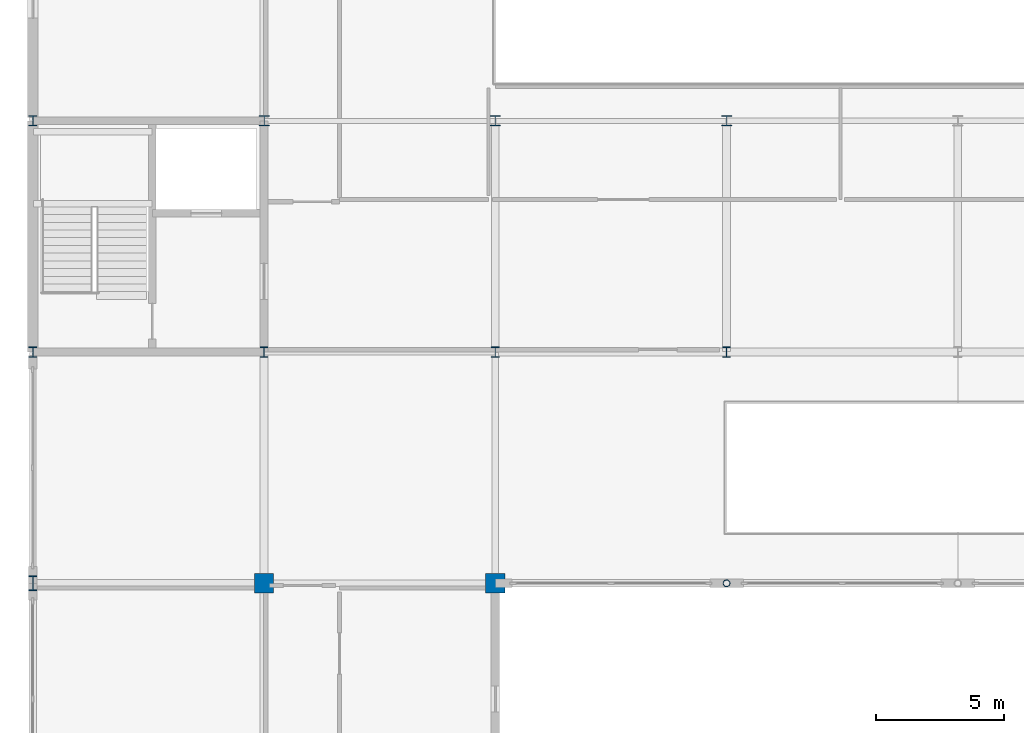
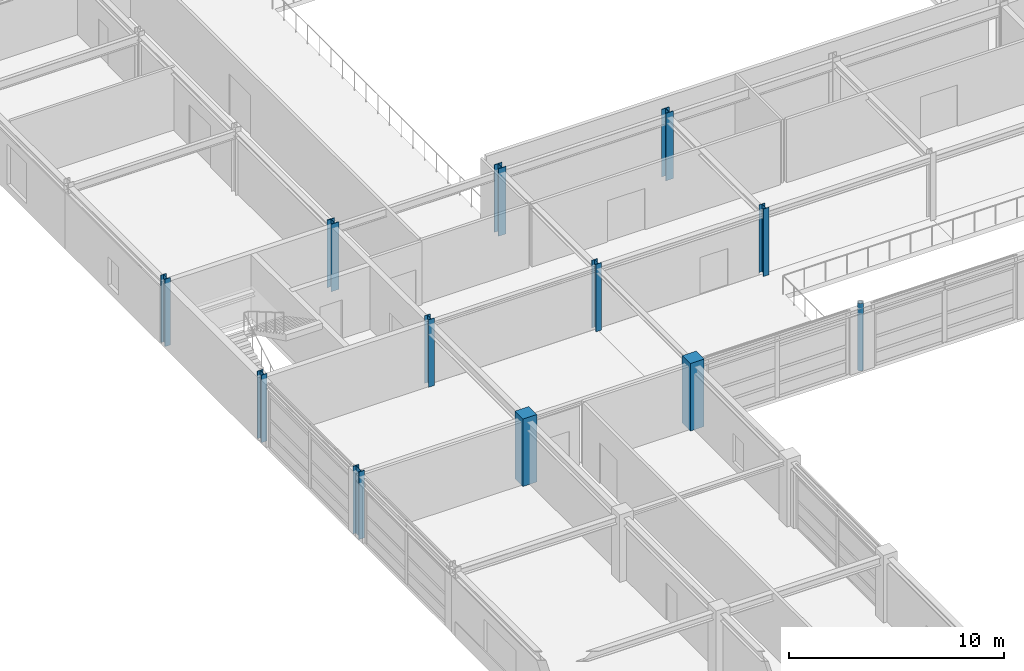
# One storey, part 9 of 79: 12 columns.
"""IFC4 building model written with IfcOpenShell, lengths in metres."""

from ifc_helpers import new_model, si_unit, direction, frame, origin, origin_2d, place, context, subcontext, project, spatial, rectangle, hollow_circle, i_section, extrude, material, material_profile, profile_set, type_object, element, save


model = new_model("IFC4")

# Units and contexts
model_context = context("Model", 3, precision=1e-05, world=origin(), true_north=direction((0.0, 1.0)))
body_context = subcontext(model_context, "Body", "Model", "MODEL_VIEW")
ifc_project = project(units=[si_unit("LENGTHUNIT", "METRE"), si_unit("AREAUNIT", "SQUARE_METRE"), si_unit("VOLUMEUNIT", "CUBIC_METRE"), si_unit("PLANEANGLEUNIT", "RADIAN"), si_unit("MASSUNIT", "GRAM", prefix="KILO")], contexts=[model_context])

# Site, building, storey
site_placement = place(None, origin())
site = spatial("IfcSite", under=ifc_project, at=site_placement, CompositionType="ELEMENT")
building_placement = place(site_placement, origin())
building = spatial("IfcBuilding", under=site, at=building_placement, Name="Palais des Congres Ocreval", CompositionType="ELEMENT")
storey_placement = place(building_placement, frame((0.0, 0.0, 4.320068359375)))
storey = spatial("IfcBuildingStorey", under=building, at=storey_placement, Name="L01", CompositionType="ELEMENT", Elevation=4.320068359375)

# Columns
ifc_material_1 = material(Name="Steel S355", Category="steel")
ifc_material_profile_1 = material_profile(ifc_material_1, hollow_circle(Radius=0.136474609375, WallThickness=0.012451171875, at=origin_2d()), Name="CHS 273x12.5")
ifc_profile_set_1 = profile_set([ifc_material_profile_1], Name="Steel S355")
column_type_1 = type_object("IfcColumnType", Name="Column CHS 273x12.5 Steel S355", PredefinedType="COLUMN", material=ifc_profile_set_1)
column_1_placement = place(storey_placement, frame((27.0, 72.0, 0.0), z_axis=(0.0, 0.0, 1.0), x_axis=(1.0, 0.0, 0.0)))
element("IfcColumn", 1, at=column_1_placement, inside=storey, type_object=column_type_1, Name="Column C17 L01", PredefinedType="COLUMN", context=body_context, shape_type="SweptSolid", body=[
    extrude(hollow_circle(Radius=0.136474609375, WallThickness=0.012451171875, at=origin_2d()), origin(), (0.0, 0.0, 1.0), 3.83984375),
])
ifc_material_profile_2 = material_profile(ifc_material_1, i_section(OverallWidth=0.406005859375, OverallDepth=0.416015625, WebThickness=0.0224609375, FlangeThickness=0.0380859375, at=origin_2d()), Name="HD 400x382")
ifc_profile_set_2 = profile_set([ifc_material_profile_2], Name="Steel S355")
column_type_2 = type_object("IfcColumnType", Name="Column HD 400x382 Steel S355", PredefinedType="COLUMN", material=ifc_profile_set_2)
for number, where, z_axis, x_axis, name in (
    (2, (9.0, 90.0, 0.0), (0.0, 0.0, 1.0), (1.0, 0.0, 0.0), "Column C03 L01"),
    (3, (18.0, 90.0, 0.0), (0.0, 0.0, 1.0), (1.0, 0.0, 0.0), "Column C03 L01"),
    (4, (27.0, 90.0, 0.0), (0.0, 0.0, 1.0), (1.0, 0.0, 0.0), "Column C03 L01"),
):
    element("IfcColumn", number, at=place(storey_placement, frame(where, z_axis=z_axis, x_axis=x_axis)), inside=storey, type_object=column_type_2, Name=name, PredefinedType="COLUMN", context=body_context, shape_type="SweptSolid", body=[
        extrude(i_section(OverallWidth=0.406005859375, OverallDepth=0.416015625, WebThickness=0.0224609375, FlangeThickness=0.0380859375, at=origin_2d()), origin(), (0.0, 0.0, 1.0), 3.83984375),
    ])
ifc_material_profile_3 = material_profile(ifc_material_1, i_section(OverallWidth=0.300048828125, OverallDepth=0.39990234375, WebThickness=0.013427734375, FlangeThickness=0.02392578125, at=origin_2d()), Name="HEB 400")
ifc_profile_set_3 = profile_set([ifc_material_profile_3], Name="Steel S355")
column_type_3 = type_object("IfcColumnType", Name="Column HEB 400 Steel S355", PredefinedType="COLUMN", material=ifc_profile_set_3)
for number, where, z_axis, x_axis, name in (
    (5, (0.0, 81.0, 0.0), (0.0, 0.0, 1.0), (1.0, 0.0, 0.0), "Column C10 L01"),
    (6, (0.0, 90.0, 0.0), (0.0, 0.0, 1.0), (1.0, 0.0, 0.0), "Column C10 L01"),
    (7, (9.0, 81.0, 0.0), (0.0, 0.0, 1.0), (1.0, 0.0, 0.0), "Column C10 L01"),
    (8, (18.0, 81.0, 0.0), (0.0, 0.0, 1.0), (1.0, 0.0, 0.0), "Column C10 L01"),
    (9, (27.0, 81.0, 0.0), (0.0, 0.0, 1.0), (1.0, 0.0, 0.0), "Column C10 L01"),
):
    element("IfcColumn", number, at=place(storey_placement, frame(where, z_axis=z_axis, x_axis=x_axis)), inside=storey, type_object=column_type_3, Name=name, PredefinedType="COLUMN", context=body_context, shape_type="SweptSolid", body=[
        extrude(i_section(OverallWidth=0.300048828125, OverallDepth=0.39990234375, WebThickness=0.013427734375, FlangeThickness=0.02392578125, at=origin_2d()), origin(), (0.0, 0.0, 1.0), 3.83984375),
    ])
ifc_material_2 = material(Name="Steel S460", Category="steel")
ifc_material_profile_4 = material_profile(ifc_material_2, i_section(OverallWidth=0.305908203125, OverallDepth=0.572021484375, WebThickness=0.02099609375, FlangeThickness=0.0400390625, at=origin_2d()), Name="HEM 550")
ifc_profile_set_4 = profile_set([ifc_material_profile_4], Name="Steel S460")
column_type_4 = type_object("IfcColumnType", Name="Column HEM 550 Steel S460", PredefinedType="COLUMN", material=ifc_profile_set_4)
column_2_placement = place(storey_placement, frame((0.0, 72.0, 0.0), z_axis=(0.0, 0.0, 1.0), x_axis=(1.0, 0.0, 0.0)))
element("IfcColumn", 10, at=column_2_placement, inside=storey, type_object=column_type_4, Name="Column C05 L01", PredefinedType="COLUMN", context=body_context, shape_type="SweptSolid", body=[
    extrude(i_section(OverallWidth=0.305908203125, OverallDepth=0.572021484375, WebThickness=0.02099609375, FlangeThickness=0.0400390625, at=origin_2d()), origin(), (0.0, 0.0, 1.0), 3.83984375),
])
ifc_material_3 = material(Name="Concrete C40/50", Category="concrete")
ifc_material_profile_5 = material_profile(ifc_material_3, rectangle(XDim=0.75, YDim=0.75, at=origin_2d()), Name="RC 750x750")
ifc_profile_set_5 = profile_set([ifc_material_profile_5], Name="Concrete C40/50")
column_type_5 = type_object("IfcColumnType", Name="Column RC 750x750 Concrete C40/50", PredefinedType="COLUMN", material=ifc_profile_set_5)
for number, where, z_axis, x_axis, name in (
    (11, (9.0, 72.0, 0.0), (0.0, 0.0, 1.0), (1.0, 0.0, 0.0), "Column C22 L01"),
    (12, (18.0, 72.0, 0.0), (0.0, 0.0, 1.0), (1.0, 0.0, 0.0), "Column C22 L01"),
):
    element("IfcColumn", number, at=place(storey_placement, frame(where, z_axis=z_axis, x_axis=x_axis)), inside=storey, type_object=column_type_5, Name=name, PredefinedType="COLUMN", context=body_context, shape_type="SweptSolid", body=[
        extrude(rectangle(XDim=0.75, YDim=0.75, at=origin_2d()), origin(), (0.0, 0.0, 1.0), 3.83984375),
    ])

save(model, "model.ifc")
